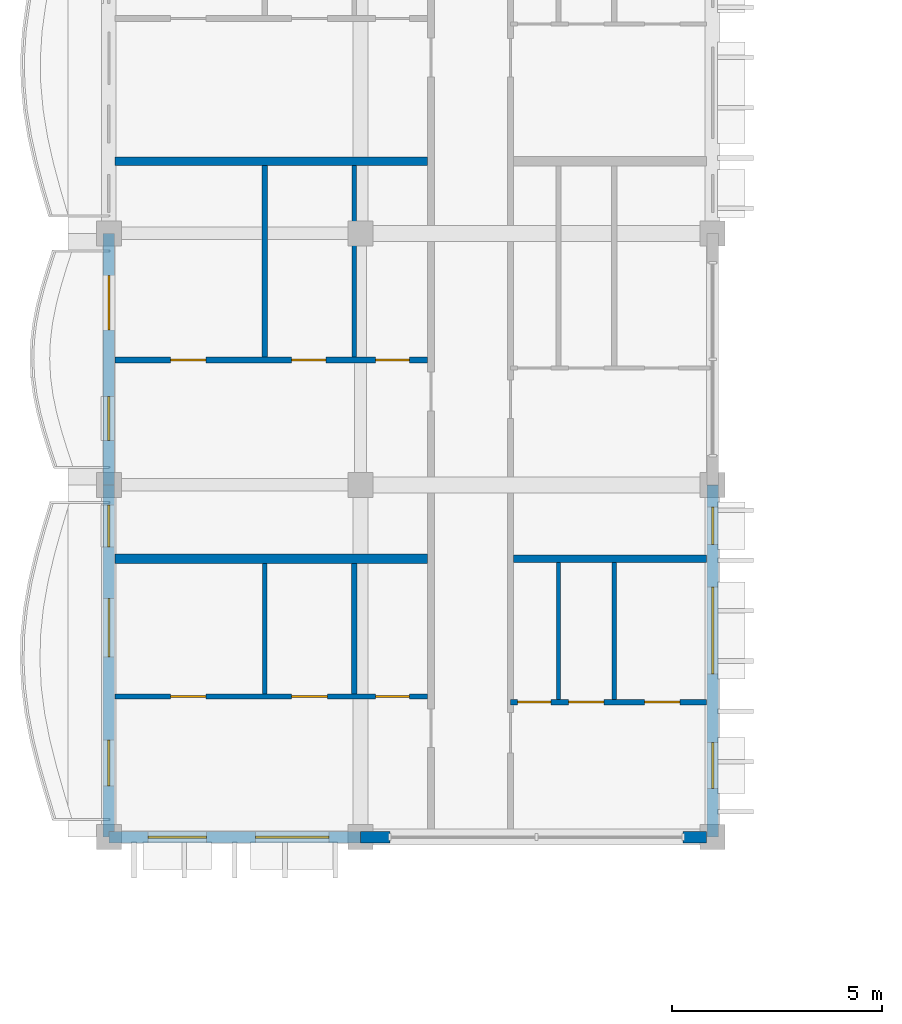
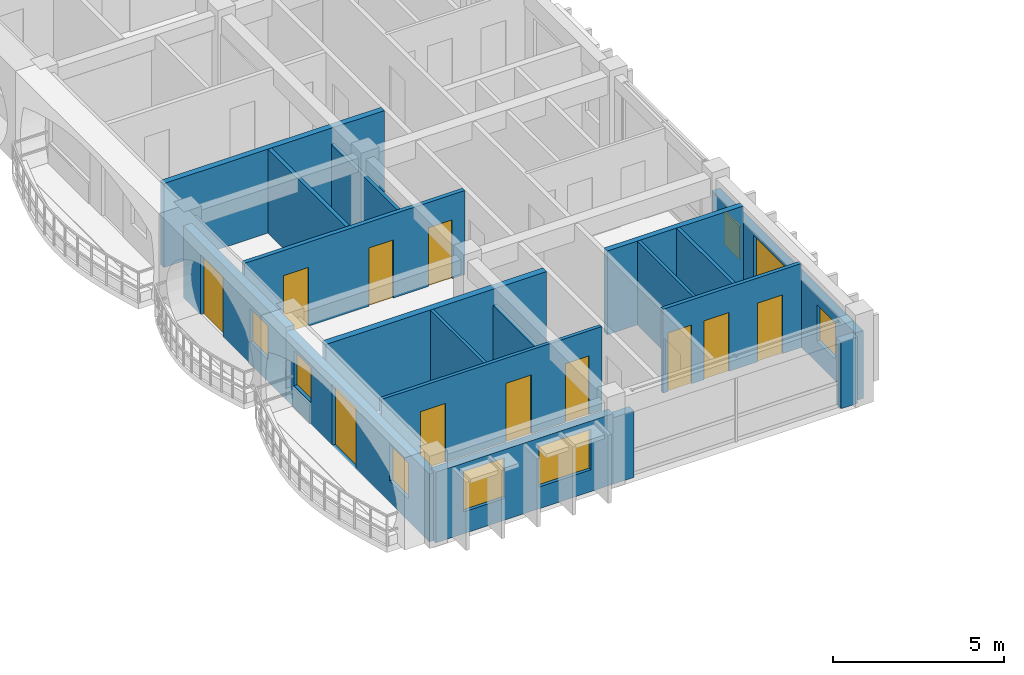
# One storey, part 24 of 54: 18 walls, 11 doors, 8 windows, 19 openings.
"""IFC4 building model written with IfcOpenShell, lengths in metres."""

from ifc_helpers import new_model, si_unit, direction, frame, frame_2d, origin, place, context, subcontext, project, spatial, rectangle, extrude, material, layer, layer_set, type_object, element, fill, save


model = new_model("IFC4")

# Units and contexts
model_context = context("Model", 3, precision=1e-05, world=origin(), true_north=direction((0.0, 1.0)))
body_context = subcontext(model_context, "Body", "Model", "MODEL_VIEW")
ifc_project = project(units=[si_unit("LENGTHUNIT", "METRE"), si_unit("AREAUNIT", "SQUARE_METRE"), si_unit("VOLUMEUNIT", "CUBIC_METRE"), si_unit("PLANEANGLEUNIT", "RADIAN"), si_unit("MASSUNIT", "GRAM", prefix="KILO"), si_unit("THERMODYNAMICTEMPERATUREUNIT", "KELVIN")], contexts=[model_context])

# Site, building, storey
site_placement = place(None, origin())
site = spatial("IfcSite", under=ifc_project, at=site_placement, CompositionType="ELEMENT")
building_placement = place(site_placement, origin())
building = spatial("IfcBuilding", under=site, at=building_placement, Name="Thalorik Housing Commons", CompositionType="ELEMENT")
storey_placement = place(building_placement, frame((0.0, 0.0, 31.199951171875)))
storey = spatial("IfcBuildingStorey", under=building, at=storey_placement, Name="L09", CompositionType="ELEMENT", Elevation=31.199951171875)

# Wall, openings, door, window
ifc_material_1 = material(Name="White precast concrete C40/50", Category="concrete")
ifc_layer_1 = layer(ifc_material_1, 0.27490234375, Name="White precast concrete C40/50", Category="concrete")
ifc_layer_set_1 = layer_set([ifc_layer_1], Name="White precast concrete C40/50")
wall_type_1 = type_object("IfcWallType", Name="ARC-WAL-EXT-275", PredefinedType="STANDARD", material=ifc_layer_set_1)
wall_1_placement = place(storey_placement, frame((8.39990234375, 100.800048828125, 0.0), z_axis=(0.0, 0.0, 1.0), x_axis=(0.0, -1.0, 0.0)))
wall_1 = element("IfcWall", 1, at=wall_1_placement, inside=storey, type_object=wall_type_1, Name="L09 Exterior Wall WAL-EXT-L09-A-0250", PredefinedType="STANDARD", context=body_context, shape_type="SweptSolid", body=[
    extrude(rectangle(XDim=6.0, YDim=0.27490234375, at=frame_2d((3.0, 0.0))), origin(), (0.0, 0.0, 1.0), 2.574951171875),
])
opening_1_placement = place(wall_1_placement, frame((1.0048828125, 0.0, 0.0)))
opening_1 = element("IfcOpeningElement", 2, at=opening_1_placement, cuts=wall_1, Name="Opening ED-0080", PredefinedType="OPENING", context=body_context, shape_type="SweptSolid", body=[
    extrude(rectangle(XDim=1.300048828125, YDim=2.14990234375, at=frame_2d((0.64990234375, 1.074951171875))), frame((0.0, 0.1474609375, 0.0), z_axis=(0.0, -1.0, 0.0), x_axis=(1.0, 0.0, 0.0)), (0.0, 0.0, 1.0), 0.294921875),
])
opening_2_placement = place(wall_1_placement, frame((3.889892578125, 0.0, 0.780029296875)))
opening_2 = element("IfcOpeningElement", 3, at=opening_2_placement, cuts=wall_1, Name="Opening W-44", PredefinedType="OPENING", context=body_context, shape_type="SweptSolid", body=[
    extrude(rectangle(XDim=1.050048828125, YDim=1.199951171875, at=frame_2d((0.52490234375, 0.60009765625))), frame((0.0, 0.1474609375, 0.0), z_axis=(0.0, -1.0, 0.0), x_axis=(1.0, 0.0, 0.0)), (0.0, 0.0, 1.0), 0.294921875),
])
ifc_material_2 = material(Name="Anodised aluminium and laminated safety glass", Category="aluminium")
door_type_1 = type_object("IfcDoorType", Name="ARC-DR-BAL-1300", OperationType="NOTDEFINED", PredefinedType="DOOR", material=ifc_material_2)
door_1_placement = place(opening_1_placement, frame((1.300048828125, 0.0, 0.0), z_axis=(0.0, 0.0, 1.0), x_axis=(-1.0, 0.0, 0.0)))
door_1 = element("IfcDoor", 4, at=door_1_placement, inside=storey, type_object=door_type_1, Name="L09 Block A Balcony Glazed Door", OperationType="SINGLE_SWING_LEFT", OverallHeight=2.14990234375, OverallWidth=1.300048828125, PredefinedType="DOOR", context=body_context, shape_type="SweptSolid", body=[
    extrude(rectangle(XDim=1.300048828125, YDim=2.14990234375, at=frame_2d((0.64990234375, 1.074951171875))), frame((0.0, 0.02490234375, 0.0), z_axis=(0.0, -1.0, 0.0), x_axis=(1.0, 0.0, 0.0)), (0.0, 0.0, 1.0), 0.050048828125),
])
fill(opening_1, door_1)
ifc_material_3 = material(Name="Anodised aluminium and solar-control low-E glass", Category="aluminium")
window_type_1 = type_object("IfcWindowType", Name="ARC-WIN-44", PartitioningType="SINGLE_PANEL", PredefinedType="WINDOW", material=ifc_material_3)
window_1_placement = place(opening_2_placement, origin())
window_1 = element("IfcWindow", 5, at=window_1_placement, inside=storey, type_object=window_type_1, Name="L09 Facade Window 449", OverallHeight=1.199951171875, OverallWidth=1.050048828125, PartitioningType="SINGLE_PANEL", PredefinedType="WINDOW", context=body_context, shape_type="SweptSolid", body=[
    extrude(rectangle(XDim=1.050048828125, YDim=1.199951171875, at=frame_2d((0.52490234375, 0.60009765625))), frame((0.0, 0.030029296875, 0.0), z_axis=(0.0, -1.0, 0.0), x_axis=(1.0, 0.0, 0.0)), (0.0, 0.0, 1.0), 0.06005859375),
])
fill(opening_2, window_1)

# Wall, openings, door, windows
wall_2_placement = place(storey_placement, frame((8.39990234375, 94.800048828125, 0.0), z_axis=(0.0, 0.0, 1.0), x_axis=(0.0, -1.0, 0.0)))
wall_2 = element("IfcWall", 6, at=wall_2_placement, inside=storey, type_object=wall_type_1, Name="L09 Exterior Wall WAL-EXT-L09-A-0251", PredefinedType="STANDARD", context=body_context, shape_type="SweptSolid", body=[
    extrude(rectangle(XDim=8.400146484375, YDim=0.27490234375, at=frame_2d((4.2001953125, 0.0))), origin(), (0.0, 0.0, 1.0), 2.425048828125),
])
opening_3_placement = place(wall_2_placement, frame((2.705078125, 0.0, 0.0)))
opening_3 = element("IfcOpeningElement", 7, at=opening_3_placement, cuts=wall_2, Name="Opening ED-0081", PredefinedType="OPENING", context=body_context, shape_type="SweptSolid", body=[
    extrude(rectangle(XDim=1.39990234375, YDim=2.199951171875, at=frame_2d((0.699951171875, 1.10009765625))), frame((0.0, 0.1474609375, 0.0), z_axis=(0.0, -1.0, 0.0), x_axis=(1.0, 0.0, 0.0)), (0.0, 0.0, 1.0), 0.294921875),
])
opening_4_placement = place(wall_2_placement, frame((0.47509765625, 0.0, 0.780029296875)))
opening_4 = element("IfcOpeningElement", 8, at=opening_4_placement, cuts=wall_2, Name="Opening W-02", PredefinedType="OPENING", context=body_context, shape_type="SweptSolid", body=[
    extrude(rectangle(XDim=1.0, YDim=1.25, at=frame_2d((0.5, 0.625))), frame((0.0, 0.1474609375, 0.0), z_axis=(0.0, -1.0, 0.0), x_axis=(1.0, 0.0, 0.0)), (0.0, 0.0, 1.0), 0.294921875),
])
opening_5_placement = place(wall_2_placement, frame((6.080078125, 0.0, 0.780029296875)))
opening_5 = element("IfcOpeningElement", 9, at=opening_5_placement, cuts=wall_2, Name="Opening W-03", PredefinedType="OPENING", context=body_context, shape_type="SweptSolid", body=[
    extrude(rectangle(XDim=1.10009765625, YDim=1.300048828125, at=frame_2d((0.550048828125, 0.64990234375))), frame((0.0, 0.1474609375, 0.0), z_axis=(0.0, -1.0, 0.0), x_axis=(1.0, 0.0, 0.0)), (0.0, 0.0, 1.0), 0.294921875),
])
door_type_2 = type_object("IfcDoorType", Name="ARC-DR-BAL-1400", OperationType="NOTDEFINED", PredefinedType="DOOR", material=ifc_material_2)
door_2_placement = place(opening_3_placement, frame((1.39990234375, 0.0, 0.0), z_axis=(0.0, 0.0, 1.0), x_axis=(-1.0, 0.0, 0.0)))
door_2 = element("IfcDoor", 10, at=door_2_placement, inside=storey, type_object=door_type_2, Name="L09 Block A Balcony Glazed Door", OperationType="SLIDING_TO_LEFT", OverallHeight=2.199951171875, OverallWidth=1.39990234375, PredefinedType="DOOR", context=body_context, shape_type="SweptSolid", body=[
    extrude(rectangle(XDim=1.39990234375, YDim=2.199951171875, at=frame_2d((0.699951171875, 1.10009765625))), frame((0.0, 0.02490234375, 0.0), z_axis=(0.0, -1.0, 0.0), x_axis=(1.0, 0.0, 0.0)), (0.0, 0.0, 1.0), 0.050048828125),
])
fill(opening_3, door_2)
window_type_2 = type_object("IfcWindowType", Name="ARC-WIN-02", PartitioningType="SINGLE_PANEL", PredefinedType="WINDOW", material=ifc_material_3)
window_2_placement = place(opening_4_placement, origin())
window_2 = element("IfcWindow", 11, at=window_2_placement, inside=storey, type_object=window_type_2, Name="L09 Facade Window 450", OverallHeight=1.25, OverallWidth=1.0, PartitioningType="SINGLE_PANEL", PredefinedType="WINDOW", context=body_context, shape_type="SweptSolid", body=[
    extrude(rectangle(XDim=1.0, YDim=1.25, at=frame_2d((0.5, 0.625))), frame((0.0, 0.030029296875, 0.0), z_axis=(0.0, -1.0, 0.0), x_axis=(1.0, 0.0, 0.0)), (0.0, 0.0, 1.0), 0.06005859375),
])
fill(opening_4, window_2)
window_type_3 = type_object("IfcWindowType", Name="ARC-WIN-03", PartitioningType="SINGLE_PANEL", PredefinedType="WINDOW", material=ifc_material_3)
window_3_placement = place(opening_5_placement, origin())
window_3 = element("IfcWindow", 12, at=window_3_placement, inside=storey, type_object=window_type_3, Name="L09 Facade Window 451", OverallHeight=1.300048828125, OverallWidth=1.10009765625, PartitioningType="SINGLE_PANEL", PredefinedType="WINDOW", context=body_context, shape_type="SweptSolid", body=[
    extrude(rectangle(XDim=1.10009765625, YDim=1.300048828125, at=frame_2d((0.550048828125, 0.64990234375))), frame((0.0, 0.030029296875, 0.0), z_axis=(0.0, -1.0, 0.0), x_axis=(1.0, 0.0, 0.0)), (0.0, 0.0, 1.0), 0.06005859375),
])
fill(opening_5, window_3)

# Wall, openings, windows
wall_3_placement = place(storey_placement, frame((8.39990234375, 86.39990234375, 0.0), z_axis=(0.0, 0.0, 1.0), x_axis=(1.0, 0.0, 0.0)))
wall_3 = element("IfcWall", 13, at=wall_3_placement, inside=storey, type_object=wall_type_1, Name="L09 Exterior Wall WAL-EXT-L09-A-0252", PredefinedType="STANDARD", context=body_context, shape_type="SweptSolid", body=[
    extrude(rectangle(XDim=6.0, YDim=0.27490234375, at=frame_2d((3.0, 0.0))), origin(), (0.0, 0.0, 1.0), 2.525146484375),
])
opening_6_placement = place(wall_3_placement, frame((0.929931640625, 0.0, 0.780029296875)))
opening_6 = element("IfcOpeningElement", 14, at=opening_6_placement, cuts=wall_3, Name="Opening W-08", PredefinedType="OPENING", context=body_context, shape_type="SweptSolid", body=[
    extrude(rectangle(XDim=1.39990234375, YDim=1.449951171875, at=frame_2d((0.699951171875, 0.72509765625))), frame((0.0, 0.1474609375, 0.0), z_axis=(0.0, -1.0, 0.0), x_axis=(1.0, 0.0, 0.0)), (0.0, 0.0, 1.0), 0.294921875),
])
opening_7_placement = place(wall_3_placement, frame((3.4951171875, 0.0, 0.780029296875)))
opening_7 = element("IfcOpeningElement", 15, at=opening_7_placement, cuts=wall_3, Name="Opening W-17", PredefinedType="OPENING", context=body_context, shape_type="SweptSolid", body=[
    extrude(rectangle(XDim=1.75, YDim=1.449951171875, at=frame_2d((0.875, 0.72509765625))), frame((0.0, 0.1474609375, 0.0), z_axis=(0.0, -1.0, 0.0), x_axis=(1.0, 0.0, 0.0)), (0.0, 0.0, 1.0), 0.294921875),
])
window_type_4 = type_object("IfcWindowType", Name="ARC-WIN-08", PartitioningType="SINGLE_PANEL", PredefinedType="WINDOW", material=ifc_material_3)
window_4_placement = place(opening_6_placement, origin())
window_4 = element("IfcWindow", 16, at=window_4_placement, inside=storey, type_object=window_type_4, Name="L09 Facade Window 452", OverallHeight=1.449951171875, OverallWidth=1.39990234375, PartitioningType="SINGLE_PANEL", PredefinedType="WINDOW", context=body_context, shape_type="SweptSolid", body=[
    extrude(rectangle(XDim=1.39990234375, YDim=1.449951171875, at=frame_2d((0.699951171875, 0.72509765625))), frame((0.0, 0.030029296875, 0.0), z_axis=(0.0, -1.0, 0.0), x_axis=(1.0, 0.0, 0.0)), (0.0, 0.0, 1.0), 0.06005859375),
])
fill(opening_6, window_4)
window_type_5 = type_object("IfcWindowType", Name="ARC-WIN-17", PartitioningType="DOUBLE_PANEL_VERTICAL", PredefinedType="WINDOW", material=ifc_material_3)
window_5_placement = place(opening_7_placement, origin())
window_5 = element("IfcWindow", 17, at=window_5_placement, inside=storey, type_object=window_type_5, Name="L09 Facade Window 453", OverallHeight=1.449951171875, OverallWidth=1.75, PartitioningType="DOUBLE_PANEL_VERTICAL", PredefinedType="WINDOW", context=body_context, shape_type="SweptSolid", body=[
    extrude(rectangle(XDim=1.75, YDim=1.449951171875, at=frame_2d((0.875, 0.72509765625))), frame((0.0, 0.030029296875, 0.0), z_axis=(0.0, -1.0, 0.0), x_axis=(1.0, 0.0, 0.0)), (0.0, 0.0, 1.0), 0.06005859375),
])
fill(opening_7, window_5)

# Walls
wall_4_placement = place(storey_placement, frame((14.39990234375, 86.39990234375, 0.0), z_axis=(0.0, 0.0, 1.0), x_axis=(1.0, 0.0, 0.0)))
element("IfcWall", 18, at=wall_4_placement, inside=storey, type_object=wall_type_1, Name="L09 Exterior Wall WAL-PIERL-L09-A-0253", PredefinedType="STANDARD", context=body_context, shape_type="SweptSolid", body=[
    extrude(rectangle(XDim=0.7001953125, YDim=0.27490234375, at=frame_2d((0.35009765625, 0.0))), origin(), (0.0, 0.0, 1.0), 2.375),
])
wall_5_placement = place(storey_placement, frame((22.10009765625, 86.39990234375, 0.0), z_axis=(0.0, 0.0, 1.0), x_axis=(1.0, 0.0, 0.0)))
element("IfcWall", 19, at=wall_5_placement, inside=storey, type_object=wall_type_1, Name="L09 Exterior Wall WAL-PIERR-L09-A-0253", PredefinedType="STANDARD", context=body_context, shape_type="SweptSolid", body=[
    extrude(rectangle(XDim=0.560302734375, YDim=0.27490234375, at=frame_2d((0.2802734375, 0.0))), origin(), (0.0, 0.0, 1.0), 2.375),
])

# Wall, openings, windows
wall_6_placement = place(storey_placement, frame((22.800048828125, 86.39990234375, 0.0), z_axis=(0.0, 0.0, 1.0), x_axis=(0.0, 1.0, 0.0)))
wall_6 = element("IfcWall", 20, at=wall_6_placement, inside=storey, type_object=wall_type_1, Name="L09 Exterior Wall WAL-EXT-L09-A-0254", PredefinedType="STANDARD", context=body_context, shape_type="SweptSolid", body=[
    extrude(rectangle(XDim=8.400146484375, YDim=0.27490234375, at=frame_2d((4.2001953125, 0.0))), origin(), (0.0, 0.0, 1.0), 2.425048828125),
])
opening_8_placement = place(wall_6_placement, frame((1.154296875, 0.0, 0.780029296875)))
opening_8 = element("IfcOpeningElement", 21, at=opening_8_placement, cuts=wall_6, Name="Opening W-03", PredefinedType="OPENING", context=body_context, shape_type="SweptSolid", body=[
    extrude(rectangle(XDim=1.10009765625, YDim=1.300048828125, at=frame_2d((0.550048828125, 0.64990234375))), frame((0.0, 0.1474609375, 0.0), z_axis=(0.0, -1.0, 0.0), x_axis=(1.0, 0.0, 0.0)), (0.0, 0.0, 1.0), 0.294921875),
])
opening_9_placement = place(wall_6_placement, frame((3.88916015625, 0.0, 0.780029296875)))
opening_9 = element("IfcOpeningElement", 22, at=opening_9_placement, cuts=wall_6, Name="Opening W-63", PredefinedType="OPENING", context=body_context, shape_type="SweptSolid", body=[
    extrude(rectangle(XDim=2.080078125, YDim=1.52001953125, at=frame_2d((1.0400390625, 0.760009765625))), frame((0.0, 0.1474609375, 0.0), z_axis=(0.0, -1.0, 0.0), x_axis=(1.0, 0.0, 0.0)), (0.0, 0.0, 1.0), 0.294921875),
])
opening_10_placement = place(wall_6_placement, frame((6.97509765625, 0.0, 0.780029296875)))
opening_10 = element("IfcOpeningElement", 23, at=opening_10_placement, cuts=wall_6, Name="Opening W-01", PredefinedType="OPENING", context=body_context, shape_type="SweptSolid", body=[
    extrude(rectangle(XDim=0.89990234375, YDim=1.199951171875, at=frame_2d((0.449951171875, 0.60009765625))), frame((0.0, 0.1474609375, 0.0), z_axis=(0.0, -1.0, 0.0), x_axis=(1.0, 0.0, 0.0)), (0.0, 0.0, 1.0), 0.294921875),
])
window_type_6 = type_object("IfcWindowType", Name="ARC-WIN-01", PartitioningType="SINGLE_PANEL", PredefinedType="WINDOW", material=ifc_material_3)
window_6_placement = place(opening_10_placement, origin())
window_6 = element("IfcWindow", 24, at=window_6_placement, inside=storey, type_object=window_type_6, Name="L09 Facade Window 456", OverallHeight=1.199951171875, OverallWidth=0.89990234375, PartitioningType="SINGLE_PANEL", PredefinedType="WINDOW", context=body_context, shape_type="SweptSolid", body=[
    extrude(rectangle(XDim=0.89990234375, YDim=1.199951171875, at=frame_2d((0.449951171875, 0.60009765625))), frame((0.0, 0.030029296875, 0.0), z_axis=(0.0, -1.0, 0.0), x_axis=(1.0, 0.0, 0.0)), (0.0, 0.0, 1.0), 0.06005859375),
])
fill(opening_10, window_6)
window_7_placement = place(opening_8_placement, origin())
window_7 = element("IfcWindow", 25, at=window_7_placement, inside=storey, type_object=window_type_3, Name="L09 Facade Window 454", OverallHeight=1.300048828125, OverallWidth=1.10009765625, PartitioningType="SINGLE_PANEL", PredefinedType="WINDOW", context=body_context, shape_type="SweptSolid", body=[
    extrude(rectangle(XDim=1.10009765625, YDim=1.300048828125, at=frame_2d((0.550048828125, 0.64990234375))), frame((0.0, 0.030029296875, 0.0), z_axis=(0.0, -1.0, 0.0), x_axis=(1.0, 0.0, 0.0)), (0.0, 0.0, 1.0), 0.06005859375),
])
fill(opening_8, window_7)
window_type_7 = type_object("IfcWindowType", Name="ARC-WIN-63", PartitioningType="DOUBLE_PANEL_VERTICAL", PredefinedType="WINDOW", material=ifc_material_3)
window_8_placement = place(opening_9_placement, origin())
window_8 = element("IfcWindow", 26, at=window_8_placement, inside=storey, type_object=window_type_7, Name="L09 Facade Window 455", OverallHeight=1.52001953125, OverallWidth=2.080078125, PartitioningType="DOUBLE_PANEL_VERTICAL", PredefinedType="WINDOW", context=body_context, shape_type="SweptSolid", body=[
    extrude(rectangle(XDim=2.080078125, YDim=1.52001953125, at=frame_2d((1.0400390625, 0.760009765625))), frame((0.0, 0.030029296875, 0.0), z_axis=(0.0, -1.0, 0.0), x_axis=(1.0, 0.0, 0.0)), (0.0, 0.0, 1.0), 0.06005859375),
])
fill(opening_9, window_8)

# Walls
ifc_material_4 = material(Name="Gypsum light stud partition", Category="masonry")
ifc_layer_2 = layer(ifc_material_4, 0.10009765625, Name="Gypsum light stud partition", Category="masonry")
ifc_layer_set_2 = layer_set([ifc_layer_2], Name="Gypsum light stud partition")
wall_type_2 = type_object("IfcWallType", Name="ARC-WAL-PART-100", PredefinedType="PARTITIONING", material=ifc_layer_set_2)
wall_7_placement = place(storey_placement, frame((12.11767578125, 89.8095703125, 0.0), z_axis=(0.0, 0.0, 1.0), x_axis=(0.0, 1.0, 0.0)))
element("IfcWall", 27, at=wall_7_placement, inside=storey, type_object=wall_type_2, Name="L09 Unit 1 Bedroom Partition", PredefinedType="PARTITIONING", context=body_context, shape_type="SweptSolid", body=[
    extrude(rectangle(XDim=3.118408203125, YDim=0.10009765625, at=frame_2d((1.55908203125, 0.0))), origin(), (0.0, 0.0, 1.0), 3.0),
])
wall_8_placement = place(storey_placement, frame((19.122314453125, 89.682861328125, 0.0), z_axis=(0.0, 0.0, 1.0), x_axis=(0.0, 1.0, 0.0)))
element("IfcWall", 28, at=wall_8_placement, inside=storey, type_object=wall_type_2, Name="L09 Unit 1B Wet Wall", PredefinedType="PARTITIONING", context=body_context, shape_type="SweptSolid", body=[
    extrude(rectangle(XDim=3.2626953125, YDim=0.10009765625, at=frame_2d((1.63134765625, 0.0))), origin(), (0.0, 0.0, 1.0), 3.0),
])

# Wall, openings, doors
ifc_material_5 = material(Name="Gypsum moisture-resistant partition", Category="masonry")
ifc_layer_3 = layer(ifc_material_5, 0.114990234375, Name="Gypsum moisture-resistant partition", Category="masonry")
ifc_layer_set_3 = layer_set([ifc_layer_3], Name="Gypsum moisture-resistant partition")
wall_type_3 = type_object("IfcWallType", Name="ARC-WAL-PART-115", PredefinedType="PARTITIONING", material=ifc_layer_set_3)
wall_9_placement = place(storey_placement, frame((8.53955078125, 89.75, 0.0), z_axis=(0.0, 0.0, 1.0), x_axis=(1.0, 0.0, 0.0)))
wall_9 = element("IfcWall", 29, at=wall_9_placement, inside=storey, type_object=wall_type_3, Name="L09 Unit 1 Spine Partition", PredefinedType="PARTITIONING", context=body_context, shape_type="SweptSolid", body=[
    extrude(rectangle(XDim=7.4560546875, YDim=0.114990234375, at=frame_2d((3.72802734375, 0.0))), origin(), (0.0, 0.0, 1.0), 3.0),
])
opening_11_placement = place(wall_9_placement, frame((1.32421875, 0.0, 0.0)))
opening_11 = element("IfcOpeningElement", 30, at=opening_11_placement, cuts=wall_9, Name="Opening ID-0789", PredefinedType="OPENING", context=body_context, shape_type="SweptSolid", body=[
    extrude(rectangle(XDim=0.85009765625, YDim=2.10009765625, at=frame_2d((0.425048828125, 1.050048828125))), frame((0.0, 0.0673828125, 0.0), z_axis=(0.0, -1.0, 0.0), x_axis=(1.0, 0.0, 0.0)), (0.0, 0.0, 1.0), 0.135009765625),
])
opening_12_placement = place(wall_9_placement, frame((4.219970703125, 0.0, 0.0)))
opening_12 = element("IfcOpeningElement", 31, at=opening_12_placement, cuts=wall_9, Name="Opening ID-0790", PredefinedType="OPENING", context=body_context, shape_type="SweptSolid", body=[
    extrude(rectangle(XDim=0.85009765625, YDim=2.10009765625, at=frame_2d((0.425048828125, 1.050048828125))), frame((0.0, 0.0673828125, 0.0), z_axis=(0.0, -1.0, 0.0), x_axis=(1.0, 0.0, 0.0)), (0.0, 0.0, 1.0), 0.135009765625),
])
opening_13_placement = place(wall_9_placement, frame((6.22607421875, 0.0, 0.0)))
opening_13 = element("IfcOpeningElement", 32, at=opening_13_placement, cuts=wall_9, Name="Opening ID-0791", PredefinedType="OPENING", context=body_context, shape_type="SweptSolid", body=[
    extrude(rectangle(XDim=0.800048828125, YDim=2.10009765625, at=frame_2d((0.39990234375, 1.050048828125))), frame((0.0, 0.0673828125, 0.0), z_axis=(0.0, -1.0, 0.0), x_axis=(1.0, 0.0, 0.0)), (0.0, 0.0, 1.0), 0.135009765625),
])
ifc_material_6 = material(Name="Moisture-resistant timber", Category="wood")
door_type_3 = type_object("IfcDoorType", Name="ARC-DR-INT-800", OperationType="NOTDEFINED", PredefinedType="DOOR", material=ifc_material_6)
door_3_placement = place(opening_13_placement, origin())
door_3 = element("IfcDoor", 33, at=door_3_placement, inside=storey, type_object=door_type_3, Name="L09 Flat Bathroom Door", OperationType="SINGLE_SWING_RIGHT", OverallHeight=2.10009765625, OverallWidth=0.800048828125, PredefinedType="DOOR", context=body_context, shape_type="SweptSolid", body=[
    extrude(rectangle(XDim=0.800048828125, YDim=2.10009765625, at=frame_2d((0.39990234375, 1.050048828125))), frame((0.0, 0.02490234375, 0.0), z_axis=(0.0, -1.0, 0.0), x_axis=(1.0, 0.0, 0.0)), (0.0, 0.0, 1.0), 0.050048828125),
])
fill(opening_13, door_3)
ifc_material_7 = material(Name="Engineered oak timber", Category="wood")
door_type_4 = type_object("IfcDoorType", Name="ARC-DR-INT-850", OperationType="NOTDEFINED", PredefinedType="DOOR", material=ifc_material_7)
door_4_placement = place(opening_11_placement, origin())
door_4 = element("IfcDoor", 34, at=door_4_placement, inside=storey, type_object=door_type_4, Name="L09 Double Bedroom Door", OperationType="SINGLE_SWING_RIGHT", OverallHeight=2.10009765625, OverallWidth=0.85009765625, PredefinedType="DOOR", context=body_context, shape_type="SweptSolid", body=[
    extrude(rectangle(XDim=0.85009765625, YDim=2.10009765625, at=frame_2d((0.425048828125, 1.050048828125))), frame((0.0, 0.02490234375, 0.0), z_axis=(0.0, -1.0, 0.0), x_axis=(1.0, 0.0, 0.0)), (0.0, 0.0, 1.0), 0.050048828125),
])
fill(opening_11, door_4)
door_5_placement = place(opening_12_placement, origin())
door_5 = element("IfcDoor", 35, at=door_5_placement, inside=storey, type_object=door_type_4, Name="L09 Galley Kitchen Door", OperationType="SINGLE_SWING_LEFT", OverallHeight=2.10009765625, OverallWidth=0.85009765625, PredefinedType="DOOR", context=body_context, shape_type="SweptSolid", body=[
    extrude(rectangle(XDim=0.85009765625, YDim=2.10009765625, at=frame_2d((0.425048828125, 1.050048828125))), frame((0.0, 0.02490234375, 0.0), z_axis=(0.0, -1.0, 0.0), x_axis=(1.0, 0.0, 0.0)), (0.0, 0.0, 1.0), 0.050048828125),
])
fill(opening_12, door_5)

# Walls
wall_10_placement = place(storey_placement, frame((20.455078125, 89.682861328125, 0.0), z_axis=(0.0, 0.0, 1.0), x_axis=(0.0, 1.0, 0.0)))
element("IfcWall", 36, at=wall_10_placement, inside=storey, type_object=wall_type_3, Name="L09 Unit 1B Bedroom Partition", PredefinedType="PARTITIONING", context=body_context, shape_type="SweptSolid", body=[
    extrude(rectangle(XDim=3.2626953125, YDim=0.114990234375, at=frame_2d((1.63134765625, 0.0))), origin(), (0.0, 0.0, 1.0), 3.0),
])
wall_11_placement = place(storey_placement, frame((14.251220703125, 97.85205078125, 0.0), z_axis=(0.0, 0.0, 1.0), x_axis=(0.0, 1.0, 0.0)))
element("IfcWall", 37, at=wall_11_placement, inside=storey, type_object=wall_type_3, Name="L09 Unit 2 Wet Wall", PredefinedType="PARTITIONING", context=body_context, shape_type="SweptSolid", body=[
    extrude(rectangle(XDim=4.56591796875, YDim=0.114990234375, at=frame_2d((2.282958984375, 0.0))), origin(), (0.0, 0.0, 1.0), 2.425048828125),
])

# Wall, openings, doors
ifc_material_8 = material(Name="Gypsum acoustic stud partition", Category="masonry")
ifc_layer_4 = layer(ifc_material_8, 0.125, Name="Gypsum acoustic stud partition", Category="masonry")
ifc_layer_set_4 = layer_set([ifc_layer_4], Name="Gypsum acoustic stud partition")
wall_type_4 = type_object("IfcWallType", Name="ARC-WAL-PART-125", PredefinedType="PARTITIONING", material=ifc_layer_set_4)
wall_12_placement = place(storey_placement, frame((17.97998046875, 89.618408203125, 0.0), z_axis=(0.0, 0.0, 1.0), x_axis=(1.0, 0.0, 0.0)))
wall_12 = element("IfcWall", 38, at=wall_12_placement, inside=storey, type_object=wall_type_4, Name="L09 Unit 1B Spine Partition", PredefinedType="PARTITIONING", context=body_context, shape_type="SweptSolid", body=[
    extrude(rectangle(XDim=4.680419921875, YDim=0.125, at=frame_2d((2.34033203125, 0.0))), origin(), (0.0, 0.0, 1.0), 3.0),
])
opening_14_placement = place(wall_12_placement, frame((0.171142578125, 0.0, 0.0)))
opening_14 = element("IfcOpeningElement", 39, at=opening_14_placement, cuts=wall_12, Name="Opening ID-0792", PredefinedType="OPENING", context=body_context, shape_type="SweptSolid", body=[
    extrude(rectangle(XDim=0.800048828125, YDim=2.10009765625, at=frame_2d((0.39990234375, 1.050048828125))), frame((0.0, 0.072509765625, 0.0), z_axis=(0.0, -1.0, 0.0), x_axis=(1.0, 0.0, 0.0)), (0.0, 0.0, 1.0), 0.14501953125),
])
opening_15_placement = place(wall_12_placement, frame((1.3837890625, 0.0, 0.0)))
opening_15 = element("IfcOpeningElement", 40, at=opening_15_placement, cuts=wall_12, Name="Opening ID-0793", PredefinedType="OPENING", context=body_context, shape_type="SweptSolid", body=[
    extrude(rectangle(XDim=0.85009765625, YDim=2.10009765625, at=frame_2d((0.425048828125, 1.050048828125))), frame((0.0, 0.072509765625, 0.0), z_axis=(0.0, -1.0, 0.0), x_axis=(1.0, 0.0, 0.0)), (0.0, 0.0, 1.0), 0.14501953125),
])
opening_16_placement = place(wall_12_placement, frame((3.192626953125, 0.0, 0.0)))
opening_16 = element("IfcOpeningElement", 41, at=opening_16_placement, cuts=wall_12, Name="Opening ID-0794", PredefinedType="OPENING", context=body_context, shape_type="SweptSolid", body=[
    extrude(rectangle(XDim=0.85009765625, YDim=2.10009765625, at=frame_2d((0.425048828125, 1.050048828125))), frame((0.0, 0.072509765625, 0.0), z_axis=(0.0, -1.0, 0.0), x_axis=(1.0, 0.0, 0.0)), (0.0, 0.0, 1.0), 0.14501953125),
])
door_6_placement = place(opening_14_placement, origin())
door_6 = element("IfcDoor", 42, at=door_6_placement, inside=storey, type_object=door_type_3, Name="L09 Accessible Bathroom Door", OperationType="SINGLE_SWING_LEFT", OverallHeight=2.10009765625, OverallWidth=0.800048828125, PredefinedType="DOOR", context=body_context, shape_type="SweptSolid", body=[
    extrude(rectangle(XDim=0.800048828125, YDim=2.10009765625, at=frame_2d((0.39990234375, 1.050048828125))), frame((0.0, 0.02490234375, 0.0), z_axis=(0.0, -1.0, 0.0), x_axis=(1.0, 0.0, 0.0)), (0.0, 0.0, 1.0), 0.050048828125),
])
fill(opening_14, door_6)
door_7_placement = place(opening_15_placement, origin())
door_7 = element("IfcDoor", 43, at=door_7_placement, inside=storey, type_object=door_type_4, Name="L09 Eat-In Kitchen Door", OperationType="SINGLE_SWING_RIGHT", OverallHeight=2.10009765625, OverallWidth=0.85009765625, PredefinedType="DOOR", context=body_context, shape_type="SweptSolid", body=[
    extrude(rectangle(XDim=0.85009765625, YDim=2.10009765625, at=frame_2d((0.425048828125, 1.050048828125))), frame((0.0, 0.02490234375, 0.0), z_axis=(0.0, -1.0, 0.0), x_axis=(1.0, 0.0, 0.0)), (0.0, 0.0, 1.0), 0.050048828125),
])
fill(opening_15, door_7)
door_8_placement = place(opening_16_placement, origin())
door_8 = element("IfcDoor", 44, at=door_8_placement, inside=storey, type_object=door_type_4, Name="L09 Master Bedroom Door", OperationType="SINGLE_SWING_LEFT", OverallHeight=2.10009765625, OverallWidth=0.85009765625, PredefinedType="DOOR", context=body_context, shape_type="SweptSolid", body=[
    extrude(rectangle(XDim=0.85009765625, YDim=2.10009765625, at=frame_2d((0.425048828125, 1.050048828125))), frame((0.0, 0.02490234375, 0.0), z_axis=(0.0, -1.0, 0.0), x_axis=(1.0, 0.0, 0.0)), (0.0, 0.0, 1.0), 0.050048828125),
])
fill(opening_16, door_8)

# Walls
wall_13_placement = place(storey_placement, frame((12.11767578125, 97.85205078125, 0.0), z_axis=(0.0, 0.0, 1.0), x_axis=(0.0, 1.0, 0.0)))
element("IfcWall", 45, at=wall_13_placement, inside=storey, type_object=wall_type_4, Name="L09 Unit 2 Bedroom Partition", PredefinedType="PARTITIONING", context=body_context, shape_type="SweptSolid", body=[
    extrude(rectangle(XDim=4.56591796875, YDim=0.125, at=frame_2d((2.282958984375, 0.0))), origin(), (0.0, 0.0, 1.0), 3.0),
])
ifc_material_9 = material(Name="Ceramic masonry partition wall", Category="masonry")
ifc_layer_5 = layer(ifc_material_9, 0.139892578125, Name="Ceramic masonry partition wall", Category="masonry")
ifc_layer_set_5 = layer_set([ifc_layer_5], Name="Ceramic masonry partition wall")
wall_type_5 = type_object("IfcWallType", Name="ARC-WAL-PART-140", PredefinedType="PARTITIONING", material=ifc_layer_set_5)
wall_14_placement = place(storey_placement, frame((14.251220703125, 89.8095703125, 0.0), z_axis=(0.0, 0.0, 1.0), x_axis=(0.0, 1.0, 0.0)))
element("IfcWall", 46, at=wall_14_placement, inside=storey, type_object=wall_type_5, Name="L09 Unit 1 Wet Wall", PredefinedType="PARTITIONING", context=body_context, shape_type="SweptSolid", body=[
    extrude(rectangle(XDim=3.118408203125, YDim=0.139892578125, at=frame_2d((1.55908203125, 0.0))), origin(), (0.0, 0.0, 1.0), 2.425048828125),
])

# Wall, openings, doors
wall_15_placement = place(storey_placement, frame((8.53955078125, 97.780029296875, 0.0), z_axis=(0.0, 0.0, 1.0), x_axis=(1.0, 0.0, 0.0)))
wall_15 = element("IfcWall", 47, at=wall_15_placement, inside=storey, type_object=wall_type_5, Name="L09 Unit 2 Spine Partition", PredefinedType="PARTITIONING", context=body_context, shape_type="SweptSolid", body=[
    extrude(rectangle(XDim=7.4560546875, YDim=0.139892578125, at=frame_2d((3.72802734375, 0.0))), origin(), (0.0, 0.0, 1.0), 3.0),
])
opening_17_placement = place(wall_15_placement, frame((1.32421875, 0.0, 0.0)))
opening_17 = element("IfcOpeningElement", 48, at=opening_17_placement, cuts=wall_15, Name="Opening ID-0795", PredefinedType="OPENING", context=body_context, shape_type="SweptSolid", body=[
    extrude(rectangle(XDim=0.85009765625, YDim=2.10009765625, at=frame_2d((0.425048828125, 1.050048828125))), frame((0.0, 0.080078125, 0.0), z_axis=(0.0, -1.0, 0.0), x_axis=(1.0, 0.0, 0.0)), (0.0, 0.0, 1.0), 0.159912109375),
])
opening_18_placement = place(wall_15_placement, frame((4.219970703125, 0.0, 0.0)))
opening_18 = element("IfcOpeningElement", 49, at=opening_18_placement, cuts=wall_15, Name="Opening ID-0796", PredefinedType="OPENING", context=body_context, shape_type="SweptSolid", body=[
    extrude(rectangle(XDim=0.820068359375, YDim=2.080078125, at=frame_2d((0.41015625, 1.0400390625))), frame((0.0, 0.080078125, 0.0), z_axis=(0.0, -1.0, 0.0), x_axis=(1.0, 0.0, 0.0)), (0.0, 0.0, 1.0), 0.159912109375),
])
opening_19_placement = place(wall_15_placement, frame((6.22607421875, 0.0, 0.0)))
opening_19 = element("IfcOpeningElement", 50, at=opening_19_placement, cuts=wall_15, Name="Opening ID-0797", PredefinedType="OPENING", context=body_context, shape_type="SweptSolid", body=[
    extrude(rectangle(XDim=0.800048828125, YDim=2.10009765625, at=frame_2d((0.39990234375, 1.050048828125))), frame((0.0, 0.080078125, 0.0), z_axis=(0.0, -1.0, 0.0), x_axis=(1.0, 0.0, 0.0)), (0.0, 0.0, 1.0), 0.159912109375),
])
door_9_placement = place(opening_19_placement, origin())
door_9 = element("IfcDoor", 51, at=door_9_placement, inside=storey, type_object=door_type_3, Name="L09 Accessible Bathroom Door", OperationType="SINGLE_SWING_RIGHT", OverallHeight=2.10009765625, OverallWidth=0.800048828125, PredefinedType="DOOR", context=body_context, shape_type="SweptSolid", body=[
    extrude(rectangle(XDim=0.800048828125, YDim=2.10009765625, at=frame_2d((0.39990234375, 1.050048828125))), frame((0.0, 0.02490234375, 0.0), z_axis=(0.0, -1.0, 0.0), x_axis=(1.0, 0.0, 0.0)), (0.0, 0.0, 1.0), 0.050048828125),
])
fill(opening_19, door_9)
door_type_5 = type_object("IfcDoorType", Name="ARC-DR-INT-820", OperationType="NOTDEFINED", PredefinedType="DOOR", material=ifc_material_7)
door_10_placement = place(opening_18_placement, origin())
door_10 = element("IfcDoor", 52, at=door_10_placement, inside=storey, type_object=door_type_5, Name="L09 Eat-In Kitchen Door", OperationType="SINGLE_SWING_LEFT", OverallHeight=2.080078125, OverallWidth=0.820068359375, PredefinedType="DOOR", context=body_context, shape_type="SweptSolid", body=[
    extrude(rectangle(XDim=0.820068359375, YDim=2.080078125, at=frame_2d((0.41015625, 1.0400390625))), frame((0.0, 0.02490234375, 0.0), z_axis=(0.0, -1.0, 0.0), x_axis=(1.0, 0.0, 0.0)), (0.0, 0.0, 1.0), 0.050048828125),
])
fill(opening_18, door_10)
door_11_placement = place(opening_17_placement, origin())
door_11 = element("IfcDoor", 53, at=door_11_placement, inside=storey, type_object=door_type_4, Name="L09 Double Bedroom Door", OperationType="SINGLE_SWING_RIGHT", OverallHeight=2.10009765625, OverallWidth=0.85009765625, PredefinedType="DOOR", context=body_context, shape_type="SweptSolid", body=[
    extrude(rectangle(XDim=0.85009765625, YDim=2.10009765625, at=frame_2d((0.425048828125, 1.050048828125))), frame((0.0, 0.02490234375, 0.0), z_axis=(0.0, -1.0, 0.0), x_axis=(1.0, 0.0, 0.0)), (0.0, 0.0, 1.0), 0.050048828125),
])
fill(opening_17, door_11)

# Walls
ifc_material_10 = material(Name="Masonry acoustic blockwork wall", Category="masonry")
ifc_layer_6 = layer(ifc_material_10, 0.18505859375, Name="Masonry acoustic blockwork wall", Category="masonry")
ifc_layer_set_6 = layer_set([ifc_layer_6], Name="Masonry acoustic blockwork wall")
wall_type_6 = type_object("IfcWallType", Name="ARC-WAL-PARTY-185", PredefinedType="PARTITIONING", material=ifc_layer_set_6)
wall_16_placement = place(storey_placement, frame((18.056884765625, 93.0400390625, 0.0), z_axis=(0.0, 0.0, 1.0), x_axis=(1.0, 0.0, 0.0)))
element("IfcWall", 54, at=wall_16_placement, inside=storey, type_object=wall_type_6, Name="L09 Inter-Tenancy Wall 1B", PredefinedType="PARTITIONING", context=body_context, shape_type="SweptSolid", body=[
    extrude(rectangle(XDim=4.603515625, YDim=0.18505859375, at=frame_2d((2.3017578125, 0.0))), origin(), (0.0, 0.0, 1.0), 3.0),
])
ifc_material_11 = material(Name="Precast concrete C40/50 acoustic wall", Category="concrete")
ifc_layer_7 = layer(ifc_material_11, 0.199951171875, Name="Precast concrete C40/50 acoustic wall", Category="concrete")
ifc_layer_set_7 = layer_set([ifc_layer_7], Name="Precast concrete C40/50 acoustic wall")
wall_type_7 = type_object("IfcWallType", Name="ARC-WAL-PARTY-200", PredefinedType="PARTITIONING", material=ifc_layer_set_7)
wall_17_placement = place(storey_placement, frame((8.53955078125, 102.52001953125, 0.0), z_axis=(0.0, 0.0, 1.0), x_axis=(1.0, 0.0, 0.0)))
element("IfcWall", 55, at=wall_17_placement, inside=storey, type_object=wall_type_7, Name="L09 Inter-Tenancy Wall 2A", PredefinedType="PARTITIONING", context=body_context, shape_type="SweptSolid", body=[
    extrude(rectangle(XDim=7.4560546875, YDim=0.199951171875, at=frame_2d((3.72802734375, 0.0))), origin(), (0.0, 0.0, 1.0), 3.0),
])
ifc_layer_8 = layer(ifc_material_11, 0.219970703125, Name="Precast concrete C40/50 acoustic wall", Category="concrete")
ifc_layer_set_8 = layer_set([ifc_layer_8], Name="Precast concrete C40/50 acoustic wall")
wall_type_8 = type_object("IfcWallType", Name="ARC-WAL-PARTY-220", PredefinedType="PARTITIONING", material=ifc_layer_set_8)
wall_18_placement = place(storey_placement, frame((8.53955078125, 93.0400390625, 0.0), z_axis=(0.0, 0.0, 1.0), x_axis=(1.0, 0.0, 0.0)))
element("IfcWall", 56, at=wall_18_placement, inside=storey, type_object=wall_type_8, Name="L09 Inter-Tenancy Wall 1A", PredefinedType="PARTITIONING", context=body_context, shape_type="SweptSolid", body=[
    extrude(rectangle(XDim=7.4560546875, YDim=0.219970703125, at=frame_2d((3.72802734375, 0.0))), origin(), (0.0, 0.0, 1.0), 3.0),
])

save(model, "model.ifc")
